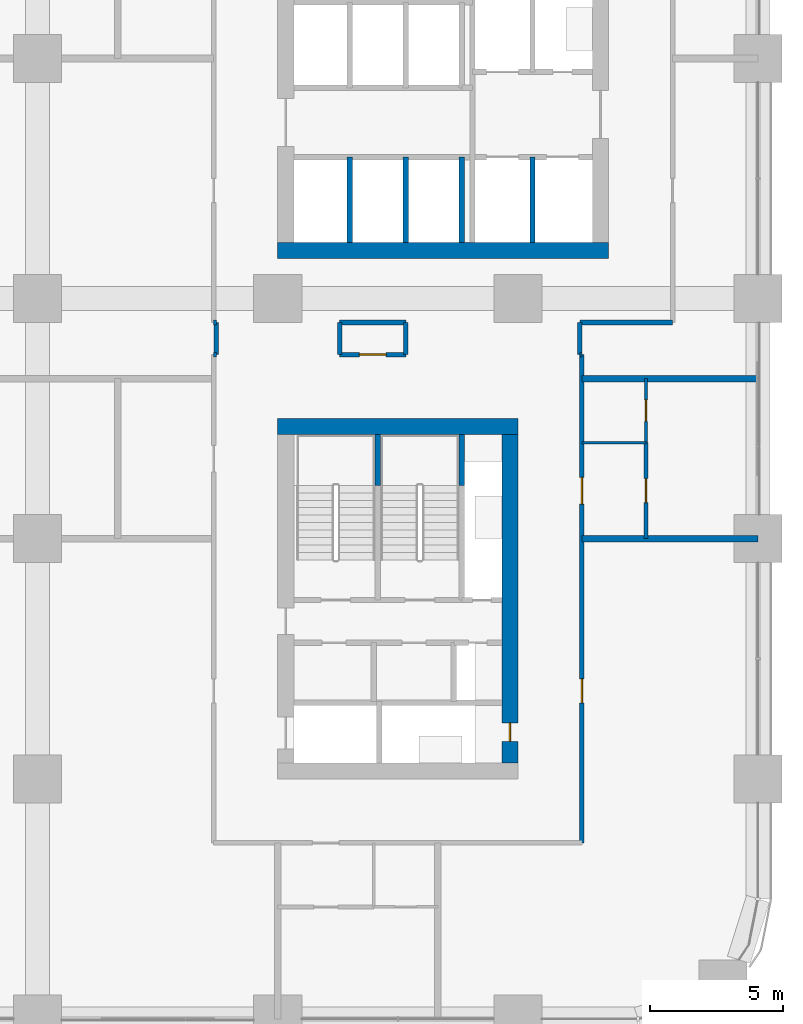
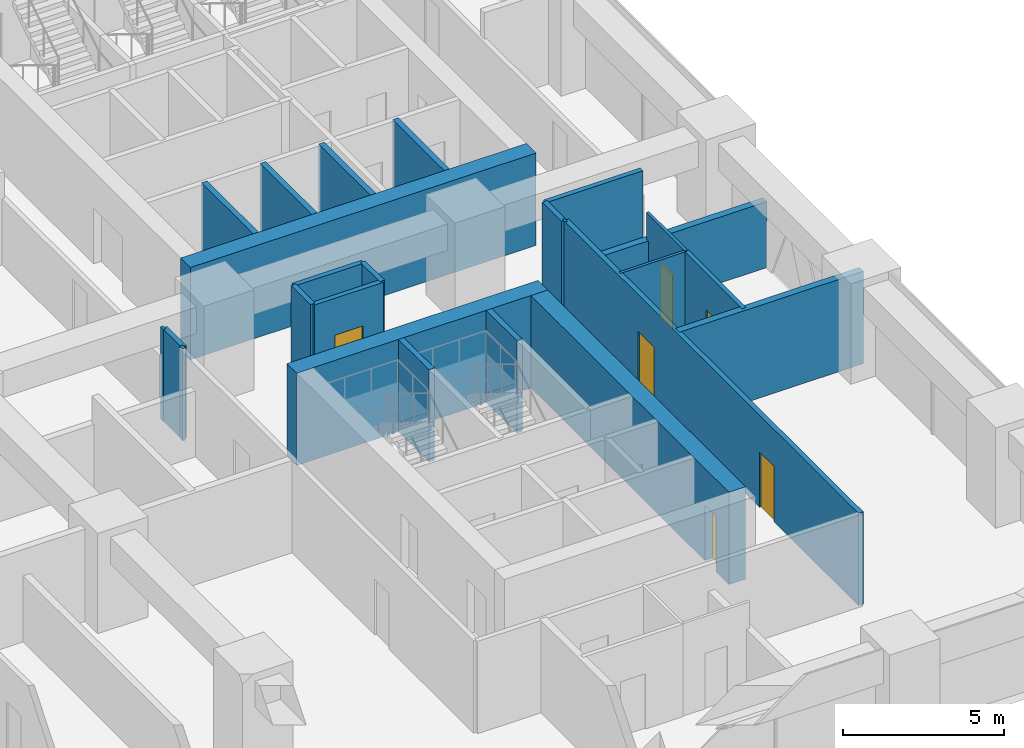
# One storey, part 15 of 21: 25 walls, 6 doors, 6 openings.
"""IFC4 building model written with IfcOpenShell, lengths in metres."""

import ifcopenshell
import ifcopenshell.guid

model = None  # the IFC model being written
_history = None  # IfcOwnerHistory: only IFC2X3 demands one
_inside = {}  # id of a spatial element -> (the spatial element, [elements in it])
_under = {}  # id of a project, library or spatial element -> (it, [spatial elements below it])
_declared = {}  # id of a project -> (the project, [libraries it declares])
_typed = {}  # id of a type object -> (the type object, [elements of that type])
_made_of = {}  # id of a material, layer set ... -> (it, [elements and type objects made of it])


def new_model(schema):
    """Start an empty IFC model of exactly this schema.

    Asked for "IFC4X3", IfcOpenShell would pick the latest addendum, in which some entities
    have other attributes; the version numbers below select the first issue.
    IFC2X3 requires an IfcOwnerHistory on every rooted entity: one is made here for all.
    """
    global model, _history
    if schema == "IFC4X3":
        model = ifcopenshell.file(schema_version=(4, 3, 0, 0))
    else:
        model = ifcopenshell.file(schema=schema)
    _inside.clear()
    _under.clear()
    _declared.clear()
    _typed.clear()
    _made_of.clear()
    _history = None
    if model.schema == "IFC2X3":
        org = make("IfcOrganization", Name="unknown")
        user = make(
            "IfcPersonAndOrganization",
            ThePerson=make("IfcPerson", FamilyName="unknown"),
            TheOrganization=org,
        )
        app = make(
            "IfcApplication",
            ApplicationDeveloper=org,
            Version="unknown",
            ApplicationFullName="unknown",
            ApplicationIdentifier="unknown",
        )
        _history = make(
            "IfcOwnerHistory",
            OwningUser=user,
            OwningApplication=app,
            ChangeAction="ADDED",
            CreationDate=0,
        )
    return model


def make(cls, **values):
    """One entity of the class cls with the attributes given. An attribute that is None is left unset."""
    return model.create_entity(
        cls, **{name: value for name, value in values.items() if value is not None}
    )


def rooted(cls, **values):
    """An entity with a GlobalId (a new one), such as an element, a storey or a relation."""
    return make(cls, GlobalId=ifcopenshell.guid.new(), OwnerHistory=_history, **values)


def si_unit(unit_type, name, prefix=None):
    """IfcSIUnit, for example si_unit("LENGTHUNIT", "METRE", prefix="MILLI")."""
    return make("IfcSIUnit", UnitType=unit_type, Prefix=prefix, Name=name)


def assignment(units):
    """IfcUnitAssignment: the units of a project."""
    return None if units is None else make("IfcUnitAssignment", Units=units)


def point(xyz):
    """IfcCartesianPoint."""
    return None if xyz is None else make("IfcCartesianPoint", Coordinates=xyz)


def direction(xyz):
    """IfcDirection."""
    return None if xyz is None else make("IfcDirection", DirectionRatios=xyz)


def frame(location, z_axis=None, x_axis=None):
    """IfcAxis2Placement3D, a coordinate frame: its origin and axes. An axis left out is left unset."""
    return make(
        "IfcAxis2Placement3D",
        Location=point(location),
        Axis=direction(z_axis),
        RefDirection=direction(x_axis),
    )


def frame_2d(location, x_axis=None):
    """IfcAxis2Placement2D, a coordinate frame in the plane: its origin and x axis."""
    return make(
        "IfcAxis2Placement2D", Location=point(location), RefDirection=direction(x_axis)
    )


def origin():
    """The frame at (0, 0, 0) with its axes left unset."""
    return frame((0.0, 0.0, 0.0))


def place(relative_to, where):
    """IfcLocalPlacement: puts the frame where relative to a parent placement (None: the world)."""
    return make(
        "IfcLocalPlacement", PlacementRelTo=relative_to, RelativePlacement=where
    )


def context(
    kind, dimensions, precision=None, world=None, true_north=None, identifier=None
):
    """IfcGeometricRepresentationContext, for example the 3D "Model" context."""
    return make(
        "IfcGeometricRepresentationContext",
        ContextIdentifier=identifier,
        ContextType=kind,
        CoordinateSpaceDimension=dimensions,
        Precision=precision,
        WorldCoordinateSystem=world,
        TrueNorth=true_north,
    )


def subcontext(parent, identifier, kind, view, scale=None):
    """IfcGeometricRepresentationSubContext, for example "Body" below "Model"."""
    return make(
        "IfcGeometricRepresentationSubContext",
        ContextIdentifier=identifier,
        ContextType=kind,
        ParentContext=parent,
        TargetScale=scale,
        TargetView=view,
    )


def project(units=None, contexts=None):
    """IfcProject with its units and contexts."""
    return rooted(
        "IfcProject",
        Name="project",
        RepresentationContexts=contexts,
        UnitsInContext=assignment(units),
    )


def spatial(cls, under=None, at=None, **own):
    """A site, building, storey or space (cls), placed at a placement, below another one or the project."""
    s = rooted(cls, ObjectPlacement=at, **own)
    if under is not None:
        _under.setdefault(under.id(), (under, []))[1].append(s)
    return s


def profile(cls, at=None, kind="AREA", **sizes):
    """A parametric profile (cls). Its sizes go by their IFC names, for example OverallWidth=200.0."""
    return make(cls, ProfileType=kind, Position=at, **sizes)


def rectangle(**sizes):
    """IfcRectangleProfileDef."""
    return profile("IfcRectangleProfileDef", **sizes)


def extrude(swept, where, along, depth):
    """IfcExtrudedAreaSolid: the profile swept, set in the frame where, extruded along a direction by depth."""
    return make(
        "IfcExtrudedAreaSolid",
        SweptArea=swept,
        Position=where,
        ExtrudedDirection=direction(along),
        Depth=depth,
    )


def shape(context_of_items, identifier, shape_type, items):
    """IfcShapeRepresentation: the items that make up one representation, for example the "Body"."""
    return make(
        "IfcShapeRepresentation",
        ContextOfItems=context_of_items,
        RepresentationIdentifier=identifier,
        RepresentationType=shape_type,
        Items=items,
    )


def material(Name=None, Category=None):
    """IfcMaterial."""
    return make("IfcMaterial", Name=Name, Category=Category)


def layer(
    of_material, thickness, ventilated=None, Name=None, Category=None, Priority=None
):
    """IfcMaterialLayer: one layer of a wall or slab, of a material (None: an air gap)."""
    return make(
        "IfcMaterialLayer",
        Material=of_material,
        LayerThickness=thickness,
        IsVentilated=ventilated,
        Name=Name,
        Category=Category,
        Priority=Priority,
    )


def layer_set(layers, Name=None):
    """IfcMaterialLayerSet."""
    return make("IfcMaterialLayerSet", MaterialLayers=layers, LayerSetName=Name)


def made_of(thing, what):
    """Note that an element or type object is made of a material, layer set ...; save() writes the relation."""
    if what is not None:
        _made_of.setdefault(what.id(), (what, []))[1].append(thing)
    return thing


def type_object(cls, material=None, **own):
    """A type object (cls), such as IfcWallType, which elements share."""
    return made_of(rooted(cls, **own), material)


def element(
    cls,
    number,
    at=None,
    inside=None,
    cuts=None,
    type_object=None,
    material=None,
    context=None,
    identifier="Body",
    shape_type=None,
    held_by="IfcProductDefinitionShape",
    body=None,
    shapes=None,
    **own,
):
    """One element of the class cls, such as IfcWall. Its Tag is "e" and its number.

    at: its placement. inside: the storey or other place that contains it. cuts: it is an
    opening in that element (IfcRelVoidsElement). A single representation is given by context,
    identifier, shape_type and body (its items); several are given by shapes. held_by: the class
    of the entity that holds the representations. save() writes the other relations.
    """
    e = rooted(cls, Tag="e%d" % number, ObjectPlacement=at, **own)
    if body is not None:
        shapes = [shape(context, identifier, shape_type, body)]
    if shapes is not None:
        e.Representation = make(held_by, Representations=shapes)
    if inside is not None:
        _inside.setdefault(inside.id(), (inside, []))[1].append(e)
    if cuts is not None:
        rooted(
            "IfcRelVoidsElement", RelatingBuildingElement=cuts, RelatedOpeningElement=e
        )
    if type_object is not None:
        _typed.setdefault(type_object.id(), (type_object, []))[1].append(e)
    return made_of(e, material)


def fill(opening, filler):
    """IfcRelFillsElement: the door or window that sits in an opening."""
    return rooted(
        "IfcRelFillsElement",
        RelatingOpeningElement=opening,
        RelatedBuildingElement=filler,
    )


def aggregate(whole, parts):
    """IfcRelAggregates: a whole, such as a stair, and the parts it consists of."""
    return rooted("IfcRelAggregates", RelatingObject=whole, RelatedObjects=parts)


def save(model, path):
    """Write the relations noted so far, then the file.

    IfcRelAggregates (storeys below a building ...), IfcRelContainedInSpatialStructure (elements
    in a storey), IfcRelDefinesByType, IfcRelAssociatesMaterial and IfcRelDeclares: one each for
    every whole, place, type object, material and project.
    """
    for whole, parts in _under.values():
        aggregate(whole, parts)
    for where, things in _inside.values():
        rooted(
            "IfcRelContainedInSpatialStructure",
            RelatedElements=things,
            RelatingStructure=where,
        )
    for kind, things in _typed.values():
        rooted("IfcRelDefinesByType", RelatedObjects=things, RelatingType=kind)
    for what, things in _made_of.values():
        rooted("IfcRelAssociatesMaterial", RelatedObjects=things, RelatingMaterial=what)
    for by, libraries in _declared.values():
        rooted("IfcRelDeclares", RelatingContext=by, RelatedDefinitions=libraries)
    model.write(path)


model = new_model("IFC4")

# Units and contexts
model_context = context("Model", 3, precision=1e-05, world=origin(), true_north=direction((0.0, 1.0)))
body_context = subcontext(model_context, "Body", "Model", "MODEL_VIEW")
ifc_project = project(units=[si_unit("LENGTHUNIT", "METRE"), si_unit("AREAUNIT", "SQUARE_METRE"), si_unit("VOLUMEUNIT", "CUBIC_METRE"), si_unit("PLANEANGLEUNIT", "RADIAN"), si_unit("MASSUNIT", "GRAM", prefix="KILO")], contexts=[model_context])

# Site, building, storey
site_placement = place(None, origin())
site = spatial("IfcSite", under=ifc_project, at=site_placement, CompositionType="ELEMENT")
building_placement = place(site_placement, origin())
building = spatial("IfcBuilding", under=site, at=building_placement, Name="Tessera Arch", CompositionType="ELEMENT")
storey_placement = place(building_placement, frame((0.0, 0.0, 65.199951171875)))
storey = spatial("IfcBuildingStorey", under=building, at=storey_placement, Name="L14", CompositionType="ELEMENT", Elevation=65.199951171875)

# Walls
ifc_material_1 = material(Name="Concrete C70/85", Category="concrete")
ifc_layer_1 = layer(ifc_material_1, 0.60009765625)
ifc_layer_set_1 = layer_set([ifc_layer_1], Name="Core shell wall 600 C70-85")
wall_type_1 = type_object("IfcWallType", Name="Core shell wall 600 C70-85", PredefinedType="SHEAR", material=ifc_layer_set_1)
wall_1_placement = place(storey_placement, frame((36.0, 28.800048828125, 0.0), z_axis=(0.0, 0.0, 1.0), x_axis=(1.0, 0.0, 0.0)))
element("IfcWall", 1, at=wall_1_placement, inside=storey, type_object=wall_type_1, Name="L14 C1 core wall S", PredefinedType="SHEAR", context=body_context, shape_type="SweptSolid", body=[
    extrude(rectangle(XDim=12.39990234375, YDim=0.60009765625, at=frame_2d((6.199951171875, 0.0))), origin(), (0.0, 0.0, 1.0), 3.5),
])
wall_2_placement = place(storey_placement, frame((36.0, 22.199951171875, 0.0), z_axis=(0.0, 0.0, 1.0), x_axis=(1.0, 0.0, 0.0)))
element("IfcWall", 2, at=wall_2_placement, inside=storey, type_object=wall_type_1, Name="L14 C3 core wall N", PredefinedType="SHEAR", context=body_context, shape_type="SweptSolid", body=[
    extrude(rectangle(XDim=9.0, YDim=0.60009765625, at=frame_2d((4.5, 0.0))), origin(), (0.0, 0.0, 1.0), 3.5),
])

# Wall, opening, door
wall_3_placement = place(storey_placement, frame((44.699951171875, 9.60009765625, 0.0), z_axis=(0.0, 0.0, 1.0), x_axis=(0.0, 1.0, 0.0)))
wall_3 = element("IfcWall", 3, at=wall_3_placement, inside=storey, type_object=wall_type_1, Name="L14 C3 core wall E", PredefinedType="SHEAR", context=body_context, shape_type="SweptSolid", body=[
    extrude(rectangle(XDim=12.2998046875, YDim=0.60009765625, at=frame_2d((6.14990234375, 0.0))), origin(), (0.0, 0.0, 1.0), 3.5),
])
opening_1_placement = place(wall_3_placement, frame((0.800048828125, 0.0, 0.0)))
opening_1 = element("IfcOpeningElement", 4, at=opening_1_placement, cuts=wall_3, Name="Opening L14-C37", PredefinedType="OPENING", context=body_context, shape_type="SweptSolid", body=[
    extrude(rectangle(XDim=0.699951171875, YDim=2.10009765625, at=frame_2d((0.35009765625, 1.050048828125))), frame((0.0, 0.31005859375, 0.0), z_axis=(0.0, -1.0, 0.0), x_axis=(1.0, 0.0, 0.0)), (0.0, 0.0, 1.0), 0.6201171875),
])
ifc_material_2 = material(Name="Steel door leaf", Category="steel")
door_type_1 = type_object("IfcDoorType", Name="Service shaft door FD60 700 x 2100", OperationType="SINGLE_SWING_LEFT", PredefinedType="DOOR", material=ifc_material_2)
door_1_placement = place(opening_1_placement, origin())
door_1 = element("IfcDoor", 5, at=door_1_placement, inside=storey, type_object=door_type_1, Name="L14 C3 door 6 C37 type D07", OperationType="SINGLE_SWING_LEFT", OverallHeight=2.10009765625, OverallWidth=0.699951171875, PredefinedType="DOOR", context=body_context, shape_type="SweptSolid", body=[
    extrude(rectangle(XDim=0.699951171875, YDim=2.10009765625, at=frame_2d((0.35009765625, 1.050048828125))), frame((0.0, 0.02490234375, 0.0), z_axis=(0.0, -1.0, 0.0), x_axis=(1.0, 0.0, 0.0)), (0.0, 0.0, 1.0), 0.050048828125),
])
fill(opening_1, door_1)

# Wall
ifc_material_3 = material(Name="Gypsum board on deep steel stud with mineral wool", Category="steel")
ifc_layer_2 = layer(ifc_material_3, 0.175048828125)
ifc_layer_set_2 = layer_set([ifc_layer_2], Name="Corridor wall 175 EI 60")
wall_type_2 = type_object("IfcWallType", Name="Corridor wall 175 EI 60", PredefinedType="PARTITIONING", material=ifc_layer_set_2)
wall_4_placement = place(storey_placement, frame((33.60009765625, 24.89990234375, 0.0), z_axis=(0.0, 0.0, 1.0), x_axis=(1.0, 0.0, 0.0)))
element("IfcWall", 6, at=wall_4_placement, inside=storey, type_object=wall_type_2, Name="L14 partition 6", PredefinedType="PARTITIONING", context=body_context, shape_type="SweptSolid", body=[
    extrude(rectangle(XDim=0.099853515625, YDim=0.175048828125, at=frame_2d((0.0498046875, 0.0))), origin(), (0.0, 0.0, 1.0), 3.5),
])

# Wall, opening, door
wall_5_placement = place(storey_placement, frame((38.320068359375, 24.89990234375, 0.0), z_axis=(0.0, 0.0, 1.0), x_axis=(1.0, 0.0, 0.0)))
wall_5 = element("IfcWall", 7, at=wall_5_placement, inside=storey, type_object=wall_type_2, Name="L14 partition 7", PredefinedType="PARTITIONING", context=body_context, shape_type="SweptSolid", body=[
    extrude(rectangle(XDim=2.47998046875, YDim=0.175048828125, at=frame_2d((1.239990234375, 0.0))), origin(), (0.0, 0.0, 1.0), 3.5),
])
opening_2_placement = place(wall_5_placement, frame((0.739990234375, 0.0, 0.0)))
opening_2 = element("IfcOpeningElement", 8, at=opening_2_placement, cuts=wall_5, Name="Opening L14-D017", PredefinedType="OPENING", context=body_context, shape_type="SweptSolid", body=[
    extrude(rectangle(XDim=1.0, YDim=2.10009765625, at=frame_2d((0.5, 1.050048828125))), frame((0.0, 0.097412109375, 0.0), z_axis=(0.0, -1.0, 0.0), x_axis=(1.0, 0.0, 0.0)), (0.0, 0.0, 1.0), 0.195068359375),
])
ifc_material_4 = material(Name="Fire-rated door leaf")
door_type_2 = type_object("IfcDoorType", Name="Entrance door FD30S 1000 x 2100", OperationType="SINGLE_SWING_LEFT", PredefinedType="DOOR", material=ifc_material_4)
door_2_placement = place(opening_2_placement, origin())
door_2 = element("IfcDoor", 9, at=door_2_placement, inside=storey, type_object=door_type_2, Name="L14 door D017 type D03", OperationType="SINGLE_SWING_LEFT", OverallHeight=2.10009765625, OverallWidth=1.0, PredefinedType="DOOR", context=body_context, shape_type="SweptSolid", body=[
    extrude(rectangle(XDim=1.0, YDim=2.10009765625, at=frame_2d((0.5, 1.050048828125))), frame((0.0, 0.02490234375, 0.0), z_axis=(0.0, -1.0, 0.0), x_axis=(1.0, 0.0, 0.0)), (0.0, 0.0, 1.0), 0.050048828125),
])
fill(opening_2, door_2)

# Walls
wall_6_placement = place(storey_placement, frame((47.320068359375, 24.89990234375, 0.0), z_axis=(0.0, 0.0, 1.0), x_axis=(1.0, 0.0, 0.0)))
element("IfcWall", 10, at=wall_6_placement, inside=storey, type_object=wall_type_2, Name="L14 partition 8", PredefinedType="PARTITIONING", context=body_context, shape_type="SweptSolid", body=[
    extrude(rectangle(XDim=0.079833984375, YDim=0.175048828125, at=frame_2d((0.0400390625, 0.0))), origin(), (0.0, 0.0, 1.0), 3.5),
])
wall_7_placement = place(storey_placement, frame((33.60009765625, 26.10009765625, 0.0), z_axis=(0.0, 0.0, 1.0), x_axis=(1.0, 0.0, 0.0)))
element("IfcWall", 11, at=wall_7_placement, inside=storey, type_object=wall_type_2, Name="L14 partition 12", PredefinedType="PARTITIONING", context=body_context, shape_type="SweptSolid", body=[
    extrude(rectangle(XDim=0.099853515625, YDim=0.175048828125, at=frame_2d((0.0498046875, 0.0))), origin(), (0.0, 0.0, 1.0), 3.5),
])
wall_8_placement = place(storey_placement, frame((38.320068359375, 26.10009765625, 0.0), z_axis=(0.0, 0.0, 1.0), x_axis=(1.0, 0.0, 0.0)))
element("IfcWall", 12, at=wall_8_placement, inside=storey, type_object=wall_type_2, Name="L14 partition 13", PredefinedType="PARTITIONING", context=body_context, shape_type="SweptSolid", body=[
    extrude(rectangle(XDim=2.47998046875, YDim=0.175048828125, at=frame_2d((1.239990234375, 0.0))), origin(), (0.0, 0.0, 1.0), 3.5),
])
wall_9_placement = place(storey_placement, frame((47.320068359375, 26.10009765625, 0.0), z_axis=(0.0, 0.0, 1.0), x_axis=(1.0, 0.0, 0.0)))
element("IfcWall", 13, at=wall_9_placement, inside=storey, type_object=wall_type_2, Name="L14 partition 14", PredefinedType="PARTITIONING", context=body_context, shape_type="SweptSolid", body=[
    extrude(rectangle(XDim=3.47998046875, YDim=0.175048828125, at=frame_2d((1.739990234375, 0.0))), origin(), (0.0, 0.0, 1.0), 3.5),
])
for number, where, z_axis, x_axis, name in (
    (14, (33.699951171875, 24.89990234375, 0.0), (0.0, 0.0, 1.0), (0.0, 1.0, 0.0), "L14 partition 27"),
    (15, (38.320068359375, 24.89990234375, 0.0), (0.0, 0.0, 1.0), (0.0, 1.0, 0.0), "L14 partition 28"),
    (16, (40.800048828125, 24.89990234375, 0.0), (0.0, 0.0, 1.0), (0.0, 1.0, 0.0), "L14 partition 29"),
    (17, (47.320068359375, 24.89990234375, 0.0), (0.0, 0.0, 1.0), (0.0, 1.0, 0.0), "L14 partition 30"),
):
    element("IfcWall", number, at=place(storey_placement, frame(where, z_axis=z_axis, x_axis=x_axis)), inside=storey, type_object=wall_type_2, Name=name, PredefinedType="PARTITIONING", context=body_context, shape_type="SweptSolid", body=[
        extrude(rectangle(XDim=1.2001953125, YDim=0.175048828125, at=frame_2d((0.60009765625, 0.0))), origin(), (0.0, 0.0, 1.0), 3.5),
    ])

# Wall, openings, doors
wall_10_placement = place(storey_placement, frame((47.39990234375, 6.60009765625, 0.0), z_axis=(0.0, 0.0, 1.0), x_axis=(0.0, 1.0, 0.0)))
wall_10 = element("IfcWall", 18, at=wall_10_placement, inside=storey, type_object=wall_type_2, Name="L14 partition 31", PredefinedType="PARTITIONING", context=body_context, shape_type="SweptSolid", body=[
    extrude(rectangle(XDim=18.2998046875, YDim=0.175048828125, at=frame_2d((9.14990234375, 0.0))), origin(), (0.0, 0.0, 1.0), 3.5),
])
opening_3_placement = place(wall_10_placement, frame((5.25, 0.0, 0.0)))
opening_3 = element("IfcOpeningElement", 19, at=opening_3_placement, cuts=wall_10, Name="Opening L14-D006", PredefinedType="OPENING", context=body_context, shape_type="SweptSolid", body=[
    extrude(rectangle(XDim=0.89990234375, YDim=2.10009765625, at=frame_2d((0.449951171875, 1.050048828125))), frame((0.0, 0.097412109375, 0.0), z_axis=(0.0, -1.0, 0.0), x_axis=(1.0, 0.0, 0.0)), (0.0, 0.0, 1.0), 0.195068359375),
])
opening_4_placement = place(wall_10_placement, frame((12.699951171875, 0.0, 0.0)))
opening_4 = element("IfcOpeningElement", 20, at=opening_4_placement, cuts=wall_10, Name="Opening L14-D010", PredefinedType="OPENING", context=body_context, shape_type="SweptSolid", body=[
    extrude(rectangle(XDim=1.0, YDim=2.10009765625, at=frame_2d((0.5, 1.050048828125))), frame((0.0, 0.097412109375, 0.0), z_axis=(0.0, -1.0, 0.0), x_axis=(1.0, 0.0, 0.0)), (0.0, 0.0, 1.0), 0.195068359375),
])
door_3_placement = place(opening_4_placement, origin())
door_3 = element("IfcDoor", 21, at=door_3_placement, inside=storey, type_object=door_type_2, Name="L14 door D010 type D03", OperationType="SINGLE_SWING_LEFT", OverallHeight=2.10009765625, OverallWidth=1.0, PredefinedType="DOOR", context=body_context, shape_type="SweptSolid", body=[
    extrude(rectangle(XDim=1.0, YDim=2.10009765625, at=frame_2d((0.5, 1.050048828125))), frame((0.0, 0.02490234375, 0.0), z_axis=(0.0, -1.0, 0.0), x_axis=(1.0, 0.0, 0.0)), (0.0, 0.0, 1.0), 0.050048828125),
])
fill(opening_4, door_3)
ifc_material_5 = material(Name="Timber door leaf", Category="wood")
door_type_3 = type_object("IfcDoorType", Name="Room door 900 x 2100", OperationType="SINGLE_SWING_LEFT", PredefinedType="DOOR", material=ifc_material_5)
door_4_placement = place(opening_3_placement, origin())
door_4 = element("IfcDoor", 22, at=door_4_placement, inside=storey, type_object=door_type_3, Name="L14 door D006 type D01", OperationType="SINGLE_SWING_LEFT", OverallHeight=2.10009765625, OverallWidth=0.89990234375, PredefinedType="DOOR", context=body_context, shape_type="SweptSolid", body=[
    extrude(rectangle(XDim=0.89990234375, YDim=2.10009765625, at=frame_2d((0.449951171875, 1.050048828125))), frame((0.0, 0.02490234375, 0.0), z_axis=(0.0, -1.0, 0.0), x_axis=(1.0, 0.0, 0.0)), (0.0, 0.0, 1.0), 0.050048828125),
])
fill(opening_3, door_4)

# Wall, opening, door
ifc_material_6 = material(Name="Gypsum board on steel stud", Category="steel")
ifc_layer_3 = layer(ifc_material_6, 0.14990234375)
ifc_layer_set_3 = layer_set([ifc_layer_3], Name="Partition 150")
wall_type_3 = type_object("IfcWallType", Name="Partition 150", PredefinedType="PARTITIONING", material=ifc_layer_set_3)
wall_11_placement = place(storey_placement, frame((49.800048828125, 18.0, 0.0), z_axis=(0.0, 0.0, 1.0), x_axis=(0.0, 1.0, 0.0)))
wall_11 = element("IfcWall", 23, at=wall_11_placement, inside=storey, type_object=wall_type_3, Name="L14 partition 35", PredefinedType="PARTITIONING", context=body_context, shape_type="SweptSolid", body=[
    extrude(rectangle(XDim=3.60009765625, YDim=0.14990234375, at=frame_2d((1.800048828125, 0.0))), origin(), (0.0, 0.0, 1.0), 3.5),
])
opening_5_placement = place(wall_11_placement, frame((1.35009765625, 0.0, 0.0)))
opening_5 = element("IfcOpeningElement", 24, at=opening_5_placement, cuts=wall_11, Name="Opening L14-D011", PredefinedType="OPENING", context=body_context, shape_type="SweptSolid", body=[
    extrude(rectangle(XDim=0.89990234375, YDim=2.10009765625, at=frame_2d((0.449951171875, 1.050048828125))), frame((0.0, 0.0849609375, 0.0), z_axis=(0.0, -1.0, 0.0), x_axis=(1.0, 0.0, 0.0)), (0.0, 0.0, 1.0), 0.169921875),
])
door_5_placement = place(opening_5_placement, origin())
door_5 = element("IfcDoor", 25, at=door_5_placement, inside=storey, type_object=door_type_3, Name="L14 door D011 type D01", OperationType="SINGLE_SWING_RIGHT", OverallHeight=2.10009765625, OverallWidth=0.89990234375, PredefinedType="DOOR", context=body_context, shape_type="SweptSolid", body=[
    extrude(rectangle(XDim=0.89990234375, YDim=2.10009765625, at=frame_2d((0.449951171875, 1.050048828125))), frame((0.0, 0.02490234375, 0.0), z_axis=(0.0, -1.0, 0.0), x_axis=(1.0, 0.0, 0.0)), (0.0, 0.0, 1.0), 0.050048828125),
])
fill(opening_5, door_5)

# Walls
ifc_material_7 = material(Name="Double gypsum board on twin steel stud with acoustic mineral wool", Category="steel")
ifc_layer_4 = layer(ifc_material_7, 0.25)
ifc_layer_set_4 = layer_set([ifc_layer_4], Name="Party wall 250 EI 60")
wall_type_4 = type_object("IfcWallType", Name="Party wall 250 EI 60", PredefinedType="PARTITIONING", material=ifc_layer_set_4)
wall_12_placement = place(storey_placement, frame((47.39990234375, 18.0, 0.0), z_axis=(0.0, 0.0, 1.0), x_axis=(1.0, 0.0, 0.0)))
element("IfcWall", 26, at=wall_12_placement, inside=storey, type_object=wall_type_4, Name="L14 partition 38", PredefinedType="PARTITIONING", context=body_context, shape_type="SweptSolid", body=[
    extrude(rectangle(XDim=6.60009765625, YDim=0.25, at=frame_2d((3.300048828125, 0.0))), origin(), (0.0, 0.0, 1.0), 3.5),
])
wall_13_placement = place(storey_placement, frame((47.39990234375, 24.0, 0.0), z_axis=(0.0, 0.0, 1.0), x_axis=(1.0, 0.0, 0.0)))
element("IfcWall", 27, at=wall_13_placement, inside=storey, type_object=wall_type_4, Name="L14 partition 40", PredefinedType="PARTITIONING", context=body_context, shape_type="SweptSolid", body=[
    extrude(rectangle(XDim=6.60009765625, YDim=0.25, at=frame_2d((3.300048828125, 0.0))), origin(), (0.0, 0.0, 1.0), 2.5),
])
ifc_material_8 = material(Name="Concrete C40/50", Category="concrete")
ifc_layer_5 = layer(ifc_material_8, 0.199951171875)
ifc_layer_set_5 = layer_set([ifc_layer_5], Name="Shaft wall 200 EI 120")
wall_type_5 = type_object("IfcWallType", Name="Shaft wall 200 EI 120", PredefinedType="SOLIDWALL", material=ifc_layer_set_5)
for number, where, z_axis, x_axis, name in (
    (28, (38.699951171875, 29.10009765625, 0.0), (0.0, 0.0, 1.0), (0.0, 1.0, 0.0), "L14 C1 shaft wall 1"),
    (29, (40.800048828125, 29.10009765625, 0.0), (0.0, 0.0, 1.0), (0.0, 1.0, 0.0), "L14 C1 shaft wall 5"),
    (30, (42.89990234375, 29.10009765625, 0.0), (0.0, 0.0, 1.0), (0.0, 1.0, 0.0), "L14 C1 shaft wall 8"),
    (31, (45.550048828125, 29.10009765625, 0.0), (0.0, 0.0, 1.0), (0.0, 1.0, 0.0), "L14 C1 shaft wall 13"),
):
    element("IfcWall", number, at=place(storey_placement, frame(where, z_axis=z_axis, x_axis=x_axis)), inside=storey, type_object=wall_type_5, Name=name, PredefinedType="SOLIDWALL", context=body_context, shape_type="SweptSolid", body=[
        extrude(rectangle(XDim=3.199951171875, YDim=0.199951171875, at=frame_2d((1.60009765625, 0.0))), origin(), (0.0, 0.0, 1.0), 3.5),
    ])
ifc_material_9 = material(Name="Concrete C40/50", Category="concrete")
ifc_layer_6 = layer(ifc_material_9, 0.199951171875)
ifc_layer_set_6 = layer_set([ifc_layer_6], Name="Stair well wall 200 REI 180")
wall_type_6 = type_object("IfcWallType", Name="Stair well wall 200 REI 180", PredefinedType="SOLIDWALL", material=ifc_layer_set_6)
for number, where, z_axis, x_axis, name in (
    (32, (39.75, 20.0, 0.0), (0.0, 0.0, 1.0), (0.0, 1.0, 0.0), "L14 C3 shaft wall 3"),
    (33, (42.89990234375, 20.0, 0.0), (0.0, 0.0, 1.0), (0.0, 1.0, 0.0), "L14 C3 shaft wall 7"),
):
    element("IfcWall", number, at=place(storey_placement, frame(where, z_axis=z_axis, x_axis=x_axis)), inside=storey, type_object=wall_type_6, Name=name, PredefinedType="SOLIDWALL", context=body_context, shape_type="SweptSolid", body=[
        extrude(rectangle(XDim=1.89990234375, YDim=0.199951171875, at=frame_2d((0.949951171875, 0.0))), origin(), (0.0, 0.0, 1.0), 3.5),
    ])
ifc_material_10 = material(Name="Moisture-resistant board on pre-plumbed steel stud", Category="steel")
ifc_layer_7 = layer(ifc_material_10, 0.10009765625)
ifc_layer_set_7 = layer_set([ifc_layer_7], Name="Wet wall 100")
wall_type_7 = type_object("IfcWallType", Name="Wet wall 100", PredefinedType="PARTITIONING", material=ifc_layer_set_7)
wall_14_placement = place(storey_placement, frame((47.39990234375, 21.60009765625, 0.0), z_axis=(0.0, 0.0, 1.0), x_axis=(1.0, 0.0, 0.0)))
element("IfcWall", 34, at=wall_14_placement, inside=storey, type_object=wall_type_7, Name="L14 partition 61", PredefinedType="PARTITIONING", context=body_context, shape_type="SweptSolid", body=[
    extrude(rectangle(XDim=2.400146484375, YDim=0.10009765625, at=frame_2d((1.2001953125, 0.0))), origin(), (0.0, 0.0, 1.0), 3.5),
])

# Wall, opening, door
wall_15_placement = place(storey_placement, frame((49.800048828125, 21.60009765625, 0.0), z_axis=(0.0, 0.0, 1.0), x_axis=(0.0, 1.0, 0.0)))
wall_15 = element("IfcWall", 35, at=wall_15_placement, inside=storey, type_object=wall_type_7, Name="L14 partition 64", PredefinedType="PARTITIONING", context=body_context, shape_type="SweptSolid", body=[
    extrude(rectangle(XDim=2.39990234375, YDim=0.10009765625, at=frame_2d((1.199951171875, 0.0))), origin(), (0.0, 0.0, 1.0), 3.5),
])
opening_6_placement = place(wall_15_placement, frame((0.800048828125, 0.0, 0.0)))
opening_6 = element("IfcOpeningElement", 36, at=opening_6_placement, cuts=wall_15, Name="Opening L14-D012", PredefinedType="OPENING", context=body_context, shape_type="SweptSolid", body=[
    extrude(rectangle(XDim=0.800048828125, YDim=2.10009765625, at=frame_2d((0.39990234375, 1.050048828125))), frame((0.0, 0.06005859375, 0.0), z_axis=(0.0, -1.0, 0.0), x_axis=(1.0, 0.0, 0.0)), (0.0, 0.0, 1.0), 0.1201171875),
])
ifc_material_11 = material(Name="Timber door leaf", Category="wood")
door_type_4 = type_object("IfcDoorType", Name="En-suite door 800 x 2100", OperationType="SINGLE_SWING_LEFT", PredefinedType="DOOR", material=ifc_material_11)
door_6_placement = place(opening_6_placement, origin())
door_6 = element("IfcDoor", 37, at=door_6_placement, inside=storey, type_object=door_type_4, Name="L14 door D012 type D02", OperationType="SINGLE_SWING_LEFT", OverallHeight=2.10009765625, OverallWidth=0.800048828125, PredefinedType="DOOR", context=body_context, shape_type="SweptSolid", body=[
    extrude(rectangle(XDim=0.800048828125, YDim=2.10009765625, at=frame_2d((0.39990234375, 1.050048828125))), frame((0.0, 0.02490234375, 0.0), z_axis=(0.0, -1.0, 0.0), x_axis=(1.0, 0.0, 0.0)), (0.0, 0.0, 1.0), 0.050048828125),
])
fill(opening_6, door_6)

save(model, "model.ifc")
